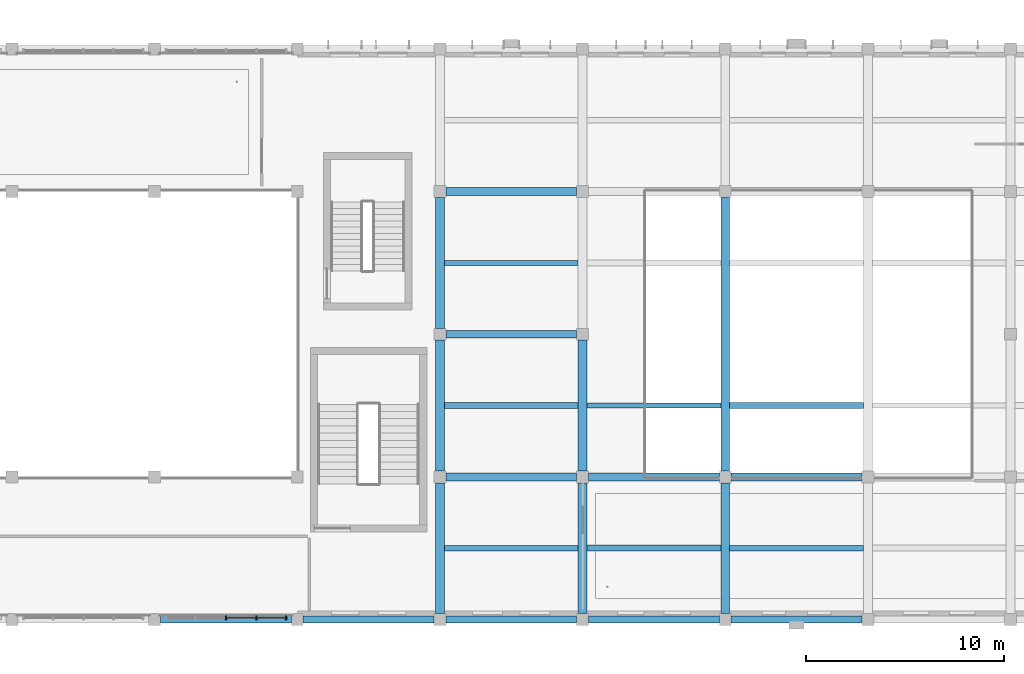
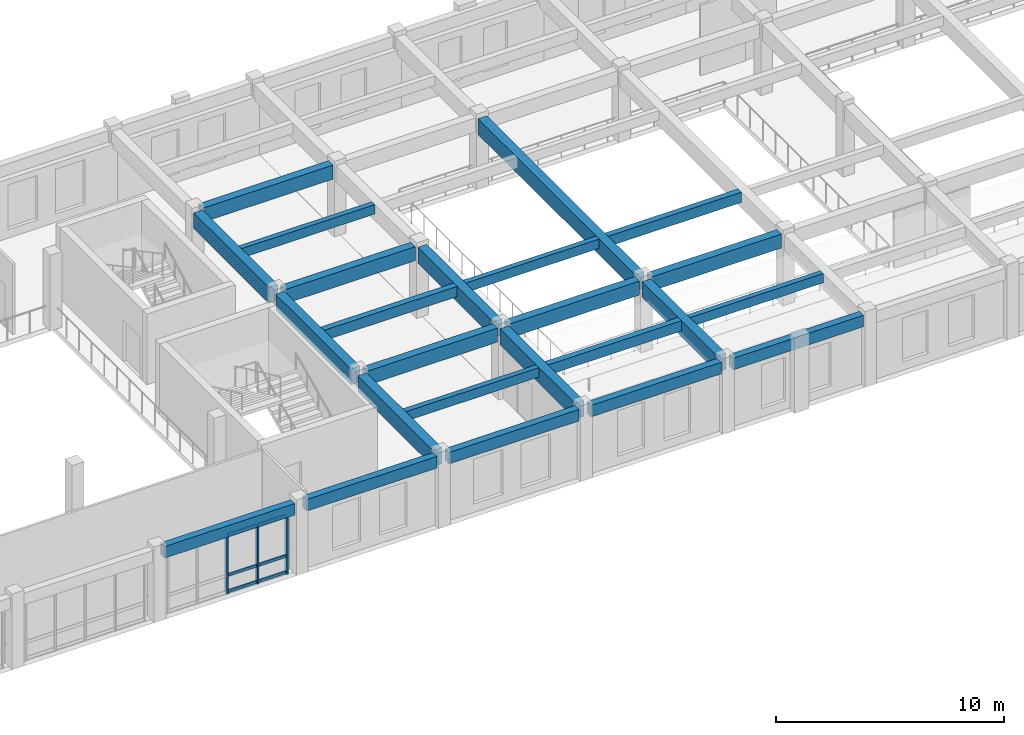
# One storey, part 13 of 88: 24 beams, 9 members, 1 element without a shape of its own.
"""IFC4 building model written with IfcOpenShell, lengths in metres."""

from ifc_helpers import new_model, si_unit, direction, frame, origin, origin_2d, place, context, subcontext, project, spatial, rectangle, extrude, material, material_profile, profile_set, type_object, element, aggregate, save


model = new_model("IFC4")

# Units and contexts
model_context = context("Model", 3, precision=1e-05, world=origin(), true_north=direction((0.0, 1.0)))
body_context = subcontext(model_context, "Body", "Model", "MODEL_VIEW")
ifc_project = project(units=[si_unit("LENGTHUNIT", "METRE"), si_unit("AREAUNIT", "SQUARE_METRE"), si_unit("VOLUMEUNIT", "CUBIC_METRE"), si_unit("PLANEANGLEUNIT", "RADIAN"), si_unit("MASSUNIT", "GRAM", prefix="KILO")], contexts=[model_context])

# Site, building, storey
site_placement = place(None, origin())
site = spatial("IfcSite", under=ifc_project, at=site_placement, CompositionType="ELEMENT")
building_placement = place(site_placement, origin())
building = spatial("IfcBuilding", under=site, at=building_placement, Name="Alvorim Cloister Faculty of Sciences", CompositionType="ELEMENT")
storey_placement = place(building_placement, frame((0.0, 0.0, 4.5)))
storey = spatial("IfcBuildingStorey", under=building, at=storey_placement, Name="L01", CompositionType="ELEMENT", Elevation=4.5)

# Beams
ifc_material_1 = material(Name="Concrete C40", Category="concrete")
ifc_material_profile_1 = material_profile(ifc_material_1, rectangle(XDim=0.260009765625, YDim=0.5, at=origin_2d()), Name="RC40-JST-260x500")
ifc_profile_set_1 = profile_set([ifc_material_profile_1], Name="Concrete C40")
beam_type_1 = type_object("IfcBeamType", Name="BM-JST-RC-260x500", PredefinedType="JOIST", material=ifc_profile_set_1)
for number, where, z_axis, x_axis, name in (
    (1, (108.22509765625, 3.60009765625, 3.5400390625), (1.0, 0.0, 0.0), (0.0, 1.0, 0.0), "L01 Secondary Floor Joist BM-1210"),
    (2, (108.22509765625, 18.0, 3.5400390625), (1.0, 0.0, 0.0), (0.0, 1.0, 0.0), "L01 Secondary Floor Joist BM-1212"),
    (3, (115.425048828125, 10.800048828125, 3.5400390625), (1.0, 0.0, 0.0), (0.0, 1.0, 0.0), "L01 Secondary Floor Joist BM-1215"),
    (4, (122.625, 3.60009765625, 3.5400390625), (1.0, 0.0, 0.0), (0.0, 1.0, 0.0), "L01 Secondary Floor Joist BM-1218"),
):
    element("IfcBeam", number, at=place(storey_placement, frame(where, z_axis=z_axis, x_axis=x_axis)), inside=storey, type_object=beam_type_1, Name=name, PredefinedType="JOIST", context=body_context, shape_type="SweptSolid", body=[
        extrude(rectangle(XDim=0.260009765625, YDim=0.5, at=origin_2d()), origin(), (0.0, 0.0, 1.0), 6.75),
    ])
ifc_material_profile_2 = material_profile(ifc_material_1, rectangle(XDim=0.300048828125, YDim=0.550048828125, at=origin_2d()), Name="RC40-JST-300x550")
ifc_profile_set_2 = profile_set([ifc_material_profile_2], Name="Concrete C40")
beam_type_2 = type_object("IfcBeamType", Name="BM-JST-RC-300x550", PredefinedType="JOIST", material=ifc_profile_set_2)
for number, where, z_axis, x_axis, name in (
    (5, (108.22509765625, 10.800048828125, 3.514892578125), (1.0, 0.0, 0.0), (0.0, 1.0, 0.0), "L01 Secondary Floor Joist BM-1211"),
    (6, (115.425048828125, 3.60009765625, 3.514892578125), (1.0, 0.0, 0.0), (0.0, 1.0, 0.0), "L01 Secondary Floor Joist BM-1214"),
    (7, (122.625, 10.800048828125, 3.514892578125), (1.0, 0.0, 0.0), (0.0, 1.0, 0.0), "L01 Secondary Floor Joist BM-1219"),
):
    element("IfcBeam", number, at=place(storey_placement, frame(where, z_axis=z_axis, x_axis=x_axis)), inside=storey, type_object=beam_type_2, Name=name, PredefinedType="JOIST", context=body_context, shape_type="SweptSolid", body=[
        extrude(rectangle(XDim=0.300048828125, YDim=0.550048828125, at=origin_2d()), origin(), (0.0, 0.0, 1.0), 6.75),
    ])
ifc_material_profile_3 = material_profile(ifc_material_1, rectangle(XDim=0.39990234375, YDim=0.75, at=origin_2d()), Name="RC40-BM-400x750")
ifc_profile_set_3 = profile_set([ifc_material_profile_3], Name="Concrete C40")
beam_type_3 = type_object("IfcBeamType", Name="BM-RC-400x750", PredefinedType="BEAM", material=ifc_profile_set_3)
beam_1_placement = place(storey_placement, frame((108.300048828125, 7.199951171875, 3.4150390625), z_axis=(1.0, 0.0, 0.0), x_axis=(0.0, 1.0, 0.0)))
element("IfcBeam", 8, at=beam_1_placement, inside=storey, type_object=beam_type_3, Name="L01 Primary Beam BM-0916", PredefinedType="BEAM", context=body_context, shape_type="SweptSolid", body=[
    extrude(rectangle(XDim=0.39990234375, YDim=0.75, at=origin_2d()), origin(), (0.0, 0.0, 1.0), 6.599853515625),
])
for number, where, z_axis, x_axis, name in (
    (9, (115.5, 7.199951171875, 3.4150390625), (1.0, 0.0, 0.0), (0.0, 1.0, 0.0), "L01 Primary Beam BM-0917"),
    (10, (122.699951171875, 7.199951171875, 3.4150390625), (1.0, 0.0, 0.0), (0.0, 1.0, 0.0), "L01 Primary Beam BM-0918"),
):
    element("IfcBeam", number, at=place(storey_placement, frame(where, z_axis=z_axis, x_axis=x_axis)), inside=storey, type_object=beam_type_3, Name=name, PredefinedType="BEAM", context=body_context, shape_type="SweptSolid", body=[
        extrude(rectangle(XDim=0.39990234375, YDim=0.75, at=origin_2d()), origin(), (0.0, 0.0, 1.0), 6.60009765625),
    ])
for number, where, z_axis, x_axis, name in (
    (11, (108.300048828125, 14.39990234375, 3.4150390625), (1.0, 0.0, 0.0), (0.0, 1.0, 0.0), "L01 Primary Beam BM-0934"),
    (12, (108.300048828125, 21.60009765625, 3.4150390625), (1.0, 0.0, 0.0), (0.0, 1.0, 0.0), "L01 Primary Beam BM-0938"),
):
    element("IfcBeam", number, at=place(storey_placement, frame(where, z_axis=z_axis, x_axis=x_axis)), inside=storey, type_object=beam_type_3, Name=name, PredefinedType="BEAM", context=body_context, shape_type="SweptSolid", body=[
        extrude(rectangle(XDim=0.39990234375, YDim=0.75, at=origin_2d()), origin(), (0.0, 0.0, 1.0), 6.599853515625),
    ])
ifc_material_profile_4 = material_profile(ifc_material_1, rectangle(XDim=0.449951171875, YDim=0.85009765625, at=origin_2d()), Name="RC40-BM-450x850")
ifc_profile_set_4 = profile_set([ifc_material_profile_4], Name="Concrete C40")
beam_type_4 = type_object("IfcBeamType", Name="BM-RC-450x850", PredefinedType="BEAM", material=ifc_profile_set_4)
beam_2_placement = place(storey_placement, frame((108.0, 0.300048828125, 3.364990234375), z_axis=(0.0, 1.0, 0.0), x_axis=(-1.0, 0.0, 0.0)))
element("IfcBeam", 13, at=beam_2_placement, inside=storey, type_object=beam_type_4, Name="L01 Primary Girder BM-1112", PredefinedType="BEAM", context=body_context, shape_type="SweptSolid", body=[
    extrude(rectangle(XDim=0.449951171875, YDim=0.85009765625, at=origin_2d()), origin(), (0.0, 0.0, 1.0), 6.599853515625),
])
for number, where, z_axis, x_axis, name in (
    (14, (108.0, 7.5, 3.364990234375), (0.0, 1.0, 0.0), (-1.0, 0.0, 0.0), "L01 Primary Girder BM-1113"),
    (15, (108.0, 14.699951171875, 3.364990234375), (0.0, 1.0, 0.0), (-1.0, 0.0, 0.0), "L01 Primary Girder BM-1114"),
):
    element("IfcBeam", number, at=place(storey_placement, frame(where, z_axis=z_axis, x_axis=x_axis)), inside=storey, type_object=beam_type_4, Name=name, PredefinedType="BEAM", context=body_context, shape_type="SweptSolid", body=[
        extrude(rectangle(XDim=0.449951171875, YDim=0.85009765625, at=origin_2d()), origin(), (0.0, 0.0, 1.0), 6.60009765625),
    ])
beam_3_placement = place(storey_placement, frame((115.199951171875, 0.300048828125, 3.364990234375), z_axis=(0.0, 1.0, 0.0), x_axis=(-1.0, 0.0, 0.0)))
element("IfcBeam", 16, at=beam_3_placement, inside=storey, type_object=beam_type_4, Name="L01 Primary Girder BM-1116", PredefinedType="BEAM", context=body_context, shape_type="SweptSolid", body=[
    extrude(rectangle(XDim=0.449951171875, YDim=0.85009765625, at=origin_2d()), origin(), (0.0, 0.0, 1.0), 6.599853515625),
])
beam_4_placement = place(storey_placement, frame((115.199951171875, 7.5, 3.364990234375), z_axis=(0.0, 1.0, 0.0), x_axis=(-1.0, 0.0, 0.0)))
element("IfcBeam", 17, at=beam_4_placement, inside=storey, type_object=beam_type_4, Name="L01 Primary Girder BM-1117", PredefinedType="BEAM", context=body_context, shape_type="SweptSolid", body=[
    extrude(rectangle(XDim=0.449951171875, YDim=0.85009765625, at=origin_2d()), origin(), (0.0, 0.0, 1.0), 6.60009765625),
])
beam_5_placement = place(storey_placement, frame((122.39990234375, 0.300048828125, 3.364990234375), z_axis=(0.0, 1.0, 0.0), x_axis=(-1.0, 0.0, 0.0)))
element("IfcBeam", 18, at=beam_5_placement, inside=storey, type_object=beam_type_4, Name="L01 Primary Girder BM-1120", PredefinedType="BEAM", context=body_context, shape_type="SweptSolid", body=[
    extrude(rectangle(XDim=0.449951171875, YDim=0.85009765625, at=origin_2d()), origin(), (0.0, 0.0, 1.0), 6.599853515625),
])
beam_6_placement = place(storey_placement, frame((122.39990234375, 7.5, 3.364990234375), z_axis=(0.0, 1.0, 0.0), x_axis=(-1.0, 0.0, 0.0)))
element("IfcBeam", 19, at=beam_6_placement, inside=storey, type_object=beam_type_4, Name="L01 Primary Girder BM-1121", PredefinedType="BEAM", context=body_context, shape_type="SweptSolid", body=[
    extrude(rectangle(XDim=0.449951171875, YDim=0.85009765625, at=origin_2d()), origin(), (0.0, 0.0, 1.0), 13.800048828125),
])
ifc_material_profile_5 = material_profile(ifc_material_1, rectangle(XDim=0.35009765625, YDim=0.6201171875, at=origin_2d()), Name="RC40-SPD-350x620")
ifc_profile_set_5 = profile_set([ifc_material_profile_5], Name="Concrete C40")
beam_type_5 = type_object("IfcBeamType", Name="BM-SPD-RC-350x620", PredefinedType="SPANDREL", material=ifc_profile_set_5)
beam_7_placement = place(storey_placement, frame((93.89990234375, 0.0, 3.47998046875), z_axis=(1.0, 0.0, 0.0), x_axis=(0.0, 1.0, 0.0)))
element("IfcBeam", 20, at=beam_7_placement, inside=storey, type_object=beam_type_5, Name="L01 Primary Beam BM-0896", PredefinedType="SPANDREL", context=body_context, shape_type="SweptSolid", body=[
    extrude(rectangle(XDim=0.35009765625, YDim=0.6201171875, at=origin_2d()), origin(), (0.0, 0.0, 1.0), 6.60009765625),
])
for number, where, z_axis, x_axis, name in (
    (21, (101.10009765625, 0.0, 3.47998046875), (1.0, 0.0, 0.0), (0.0, 1.0, 0.0), "L01 Primary Beam BM-0897"),
    (22, (108.300048828125, 0.0, 3.47998046875), (1.0, 0.0, 0.0), (0.0, 1.0, 0.0), "L01 Primary Beam BM-0898"),
):
    element("IfcBeam", number, at=place(storey_placement, frame(where, z_axis=z_axis, x_axis=x_axis)), inside=storey, type_object=beam_type_5, Name=name, PredefinedType="SPANDREL", context=body_context, shape_type="SweptSolid", body=[
        extrude(rectangle(XDim=0.35009765625, YDim=0.6201171875, at=origin_2d()), origin(), (0.0, 0.0, 1.0), 6.599853515625),
    ])
for number, where, z_axis, x_axis, name in (
    (23, (115.5, 0.0, 3.47998046875), (1.0, 0.0, 0.0), (0.0, 1.0, 0.0), "L01 Primary Beam BM-0899"),
    (24, (122.699951171875, 0.0, 3.47998046875), (1.0, 0.0, 0.0), (0.0, 1.0, 0.0), "L01 Primary Beam BM-0900"),
):
    element("IfcBeam", number, at=place(storey_placement, frame(where, z_axis=z_axis, x_axis=x_axis)), inside=storey, type_object=beam_type_5, Name=name, PredefinedType="SPANDREL", context=body_context, shape_type="SweptSolid", body=[
        extrude(rectangle(XDim=0.35009765625, YDim=0.6201171875, at=origin_2d()), origin(), (0.0, 0.0, 1.0), 6.60009765625),
    ])

# Curtain wall, members
ifc_material_2 = material(Name="Aluminium and Low-E Glass Curtain Wall", Category="aluminium")
curtain_wall_type = type_object("IfcCurtainWallType", Name="CW-GLZ-6120x3170", PredefinedType="USERDEFINED", material=ifc_material_2)
curtain_wall_placement = place(storey_placement, origin())
curtain_wall = element("IfcCurtainWall", 25, at=curtain_wall_placement, inside=storey, type_object=curtain_wall_type, Name="L01 Entrance and Atrium Glazed Curtain Wall CW-0037", ObjectType="UNITISED CURTAIN WALL", PredefinedType="USERDEFINED")
ifc_material_3 = material(Name="Aluminium Alloy 6063-T6", Category="aluminium")
ifc_material_profile_6 = material_profile(ifc_material_3, rectangle(XDim=0.074951171875, YDim=0.219970703125, at=origin_2d()), Name="ALU-MUL-75x220")
ifc_profile_set_6 = profile_set([ifc_material_profile_6], Name="Aluminium Alloy 6063-T6")
member_type_1 = type_object("IfcMemberType", Name="CW-MUL-75x220", PredefinedType="MULLION", material=ifc_profile_set_6)
member_1_placement = place(storey_placement, frame((97.199951171875, 0.090087890625, 0.0), z_axis=(0.0, 0.0, 1.0), x_axis=(1.0, 0.0, 0.0)))
member_1 = element("IfcMember", 26, at=member_1_placement, type_object=member_type_1, Name="CW-04 mullion 3", PredefinedType="MULLION", context=body_context, shape_type="SweptSolid", body=[
    extrude(rectangle(XDim=0.074951171875, YDim=0.219970703125, at=origin_2d()), origin(), (0.0, 0.0, 1.0), 3.169921875),
])
member_2_placement = place(storey_placement, frame((98.72998046875, 0.090087890625, 0.0), z_axis=(0.0, 0.0, 1.0), x_axis=(1.0, 0.0, 0.0)))
member_2 = element("IfcMember", 27, at=member_2_placement, type_object=member_type_1, Name="CW-04 mullion 4", PredefinedType="MULLION", context=body_context, shape_type="SweptSolid", body=[
    extrude(rectangle(XDim=0.074951171875, YDim=0.219970703125, at=origin_2d()), origin(), (0.0, 0.0, 1.0), 3.169921875),
])
member_3_placement = place(storey_placement, frame((100.222412109375, 0.090087890625, 0.0), z_axis=(0.0, 0.0, 1.0), x_axis=(1.0, 0.0, 0.0)))
member_3 = element("IfcMember", 28, at=member_3_placement, type_object=member_type_1, Name="CW-04 mullion 5", PredefinedType="MULLION", context=body_context, shape_type="SweptSolid", body=[
    extrude(rectangle(XDim=0.074951171875, YDim=0.219970703125, at=origin_2d()), origin(), (0.0, 0.0, 1.0), 3.169921875),
])
ifc_material_profile_7 = material_profile(ifc_material_3, rectangle(XDim=0.074951171875, YDim=0.159912109375, at=origin_2d()), Name="ALU-TRN-75x160")
ifc_profile_set_7 = profile_set([ifc_material_profile_7], Name="Aluminium Alloy 6063-T6")
member_type_2 = type_object("IfcMemberType", Name="CW-TRN-75x160", PredefinedType="USERDEFINED", material=ifc_profile_set_7)
member_4_placement = place(storey_placement, frame((97.237548828125, 0.090087890625, 0.080078125), z_axis=(1.0, 0.0, 0.0), x_axis=(0.0, 1.0, 0.0)))
member_4 = element("IfcMember", 29, at=member_4_placement, type_object=member_type_2, Name="CW-04 transom 3.1", ObjectType="TRANSOM", PredefinedType="USERDEFINED", context=body_context, shape_type="SweptSolid", body=[
    extrude(rectangle(XDim=0.074951171875, YDim=0.159912109375, at=origin_2d()), origin(), (0.0, 0.0, 1.0), 1.454833984375),
])
member_5_placement = place(storey_placement, frame((97.237548828125, 0.090087890625, 0.949951171875), z_axis=(1.0, 0.0, 0.0), x_axis=(0.0, 1.0, 0.0)))
member_5 = element("IfcMember", 30, at=member_5_placement, type_object=member_type_2, Name="CW-04 transom 3.2", ObjectType="TRANSOM", PredefinedType="USERDEFINED", context=body_context, shape_type="SweptSolid", body=[
    extrude(rectangle(XDim=0.074951171875, YDim=0.159912109375, at=origin_2d()), origin(), (0.0, 0.0, 1.0), 1.454833984375),
])
member_6_placement = place(storey_placement, frame((97.237548828125, 0.090087890625, 3.090087890625), z_axis=(1.0, 0.0, 0.0), x_axis=(0.0, 1.0, 0.0)))
member_6 = element("IfcMember", 31, at=member_6_placement, type_object=member_type_2, Name="CW-04 transom 3.3", ObjectType="TRANSOM", PredefinedType="USERDEFINED", context=body_context, shape_type="SweptSolid", body=[
    extrude(rectangle(XDim=0.074951171875, YDim=0.159912109375, at=origin_2d()), origin(), (0.0, 0.0, 1.0), 1.454833984375),
])
member_7_placement = place(storey_placement, frame((98.767578125, 0.090087890625, 0.080078125), z_axis=(1.0, 0.0, 0.0), x_axis=(0.0, 1.0, 0.0)))
member_7 = element("IfcMember", 32, at=member_7_placement, type_object=member_type_2, Name="CW-04 transom 4.1", ObjectType="TRANSOM", PredefinedType="USERDEFINED", context=body_context, shape_type="SweptSolid", body=[
    extrude(rectangle(XDim=0.074951171875, YDim=0.159912109375, at=origin_2d()), origin(), (0.0, 0.0, 1.0), 1.41748046875),
])
member_8_placement = place(storey_placement, frame((98.767578125, 0.090087890625, 0.949951171875), z_axis=(1.0, 0.0, 0.0), x_axis=(0.0, 1.0, 0.0)))
member_8 = element("IfcMember", 33, at=member_8_placement, type_object=member_type_2, Name="CW-04 transom 4.2", ObjectType="TRANSOM", PredefinedType="USERDEFINED", context=body_context, shape_type="SweptSolid", body=[
    extrude(rectangle(XDim=0.074951171875, YDim=0.159912109375, at=origin_2d()), origin(), (0.0, 0.0, 1.0), 1.41748046875),
])
member_9_placement = place(storey_placement, frame((98.767578125, 0.090087890625, 3.090087890625), z_axis=(1.0, 0.0, 0.0), x_axis=(0.0, 1.0, 0.0)))
member_9 = element("IfcMember", 34, at=member_9_placement, type_object=member_type_2, Name="CW-04 transom 4.3", ObjectType="TRANSOM", PredefinedType="USERDEFINED", context=body_context, shape_type="SweptSolid", body=[
    extrude(rectangle(XDim=0.074951171875, YDim=0.159912109375, at=origin_2d()), origin(), (0.0, 0.0, 1.0), 1.41748046875),
])
aggregate(curtain_wall, [member_1, member_2, member_3, member_4, member_5, member_6, member_7, member_8, member_9])

save(model, "model.ifc")
